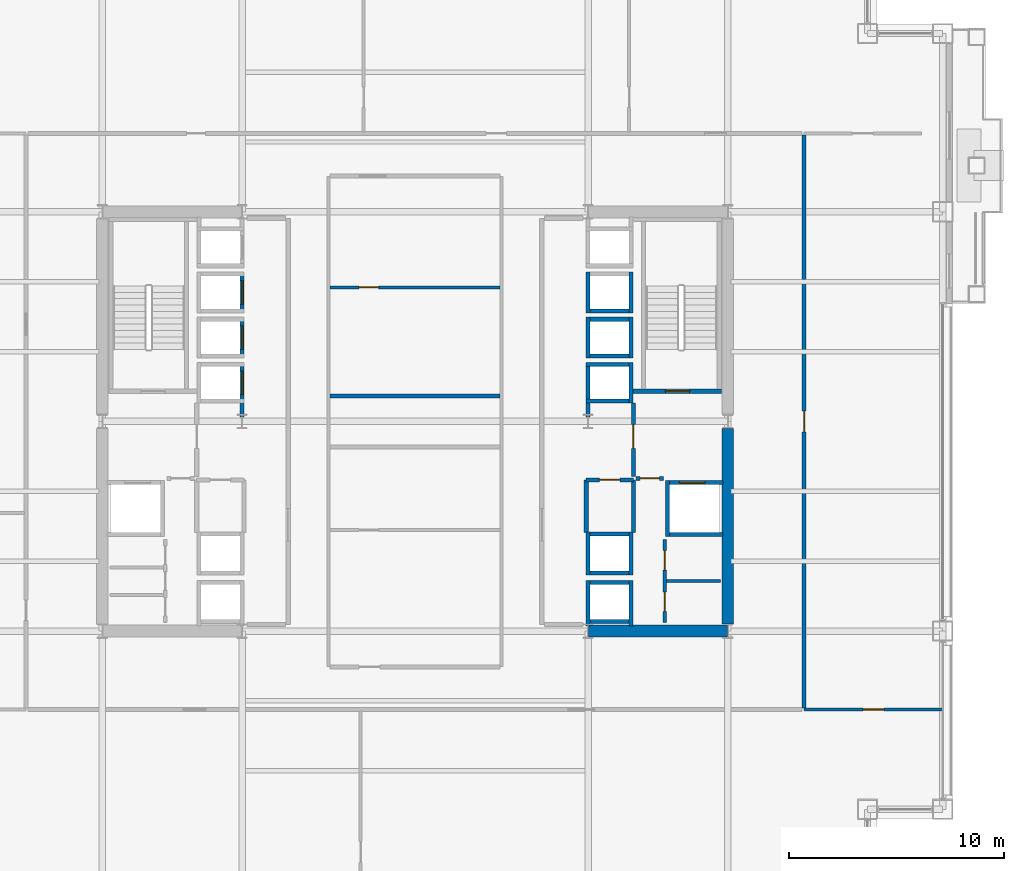
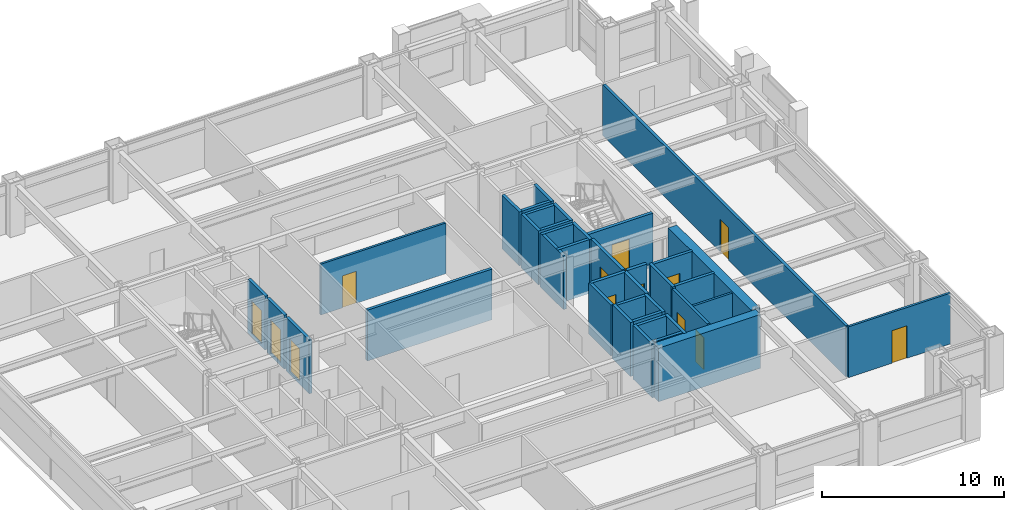
# One storey, part 26 of 31: 39 walls, 13 doors, 13 openings.
"""IFC4 building model written with IfcOpenShell, lengths in metres."""

from ifc_helpers import new_model, si_unit, direction, frame, frame_2d, origin, place, context, subcontext, project, spatial, rectangle, extrude, material, layer, layer_set, type_object, element, fill, save


model = new_model("IFC4")

# Units and contexts
model_context = context("Model", 3, precision=1e-05, world=origin(), true_north=direction((0.0, 1.0)))
body_context = subcontext(model_context, "Body", "Model", "MODEL_VIEW")
ifc_project = project(units=[si_unit("LENGTHUNIT", "METRE"), si_unit("AREAUNIT", "SQUARE_METRE"), si_unit("VOLUMEUNIT", "CUBIC_METRE"), si_unit("PLANEANGLEUNIT", "RADIAN"), si_unit("MASSUNIT", "GRAM", prefix="KILO")], contexts=[model_context])

# Site, building, storey
site_placement = place(None, origin())
site = spatial("IfcSite", under=ifc_project, at=site_placement, CompositionType="ELEMENT")
building_placement = place(site_placement, origin())
building = spatial("IfcBuilding", under=site, at=building_placement, Name="Brelmoor Portico Tower", CompositionType="ELEMENT")
storey_placement = place(building_placement, frame((0.0, 0.0, 42.0)))
storey = spatial("IfcBuildingStorey", under=building, at=storey_placement, Name="L10", CompositionType="ELEMENT", Elevation=42.0)

# Walls
ifc_material_1 = material(Name="Concrete C60", Category="concrete")
ifc_layer_1 = layer(ifc_material_1, 0.550048828125)
ifc_layer_set_1 = layer_set([ifc_layer_1], Name="Concrete C60")
wall_type_1 = type_object("IfcWallType", Name="WL-CORE-550", PredefinedType="SHEAR", material=ifc_layer_set_1)
wall_1_placement = place(storey_placement, frame((8.070068359375, -9.75, -0.199951171875), z_axis=(0.0, 0.0, 1.0), x_axis=(1.0, 0.0, 0.0)))
element("IfcWall", 1, at=wall_1_placement, inside=storey, type_object=wall_type_1, Name="L10 EC South Shear Wall", PredefinedType="SHEAR", context=body_context, shape_type="SweptSolid", body=[
    extrude(rectangle(XDim=6.4599609375, YDim=0.550048828125, at=frame_2d((3.22998046875, 0.0))), origin(), (0.0, 0.0, 1.0), 3.599853515625),
])
wall_2_placement = place(storey_placement, frame((14.550048828125, -9.425048828125, -0.199951171875), z_axis=(0.0, 0.0, 1.0), x_axis=(0.0, 1.0, 0.0)))
element("IfcWall", 2, at=wall_2_placement, inside=storey, type_object=wall_type_1, Name="L10 EC Outer South Shear Wall", PredefinedType="SHEAR", context=body_context, shape_type="SweptSolid", body=[
    extrude(rectangle(XDim=9.10009765625, YDim=0.550048828125, at=frame_2d((4.550048828125, 0.0))), origin(), (0.0, 0.0, 1.0), 3.599853515625),
])
ifc_material_2 = material(Name="Insulated Stud Suite Partition", Category="gypsum")
ifc_layer_2 = layer(ifc_material_2, 0.139892578125)
ifc_layer_set_2 = layer_set([ifc_layer_2], Name="Insulated Stud Suite Partition")
wall_type_2 = type_object("IfcWallType", Name="WL-PART-140", PredefinedType="PARTITIONING", material=ifc_layer_set_2)
wall_3_placement = place(storey_placement, frame((11.699951171875, -7.425048828125, 0.0), z_axis=(0.0, 0.0, 1.0), x_axis=(1.0, 0.0, 0.0)))
element("IfcWall", 3, at=wall_3_placement, inside=storey, type_object=wall_type_2, Name="L10 E Core WC Divider 1", PredefinedType="PARTITIONING", context=body_context, shape_type="SweptSolid", body=[
    extrude(rectangle(XDim=2.5, YDim=0.139892578125, at=frame_2d((1.25, 0.0))), origin(), (0.0, 0.0, 1.0), 3.39990234375),
])

# Wall, opening, door
wall_4_placement = place(storey_placement, frame((-3.949951171875, 6.239990234375, 0.0), z_axis=(0.0, 0.0, 1.0), x_axis=(1.0, 0.0, 0.0)))
wall_4 = element("IfcWall", 4, at=wall_4_placement, inside=storey, type_object=wall_type_2, Name="L10 Central Archive Divider", PredefinedType="PARTITIONING", context=body_context, shape_type="SweptSolid", body=[
    extrude(rectangle(XDim=7.89990234375, YDim=0.139892578125, at=frame_2d((3.949951171875, 0.0))), origin(), (0.0, 0.0, 1.0), 3.39990234375),
])
opening_1_placement = place(wall_4_placement, frame((1.35009765625, 0.0, 0.0)))
opening_1 = element("IfcOpeningElement", 5, at=opening_1_placement, cuts=wall_4, Name="Opening D-IN1", PredefinedType="OPENING", context=body_context, shape_type="SweptSolid", body=[
    extrude(rectangle(XDim=0.89990234375, YDim=2.14990234375, at=frame_2d((0.449951171875, 1.074951171875))), frame((0.0, 0.079833984375, 0.0), z_axis=(0.0, -1.0, 0.0), x_axis=(1.0, 0.0, 0.0)), (0.0, 0.0, 1.0), 0.159912109375),
])
ifc_material_3 = material(Name="Lacquered Timber Suite Door", Category="wood")
door_type_1 = type_object("IfcDoorType", Name="DR-INT-900", OperationType="NOTDEFINED", PredefinedType="DOOR", material=ifc_material_3)
door_1_placement = place(opening_1_placement, origin())
door_1 = element("IfcDoor", 6, at=door_1_placement, inside=storey, type_object=door_type_1, Name="D-0435 L10 Central File Room Door", OperationType="SINGLE_SWING_RIGHT", OverallHeight=2.14990234375, OverallWidth=0.89990234375, PredefinedType="DOOR", context=body_context, shape_type="SweptSolid", body=[
    extrude(rectangle(XDim=0.89990234375, YDim=2.14990234375, at=frame_2d((0.449951171875, 1.074951171875))), frame((0.0, 0.02490234375, 0.0), z_axis=(0.0, -1.0, 0.0), x_axis=(1.0, 0.0, 0.0)), (0.0, 0.0, 1.0), 0.050048828125),
])
fill(opening_1, door_1)

wall_5_placement = place(storey_placement, frame((18.10009765625, -13.39990234375, 0.0), z_axis=(0.0, 0.0, 1.0), x_axis=(1.0, 0.0, 0.0)))
wall_5 = element("IfcWall", 7, at=wall_5_placement, inside=storey, type_object=wall_type_2, Name="L10 South Outer Closure ER", PredefinedType="PARTITIONING", context=body_context, shape_type="SweptSolid", body=[
    extrude(rectangle(XDim=6.4599609375, YDim=0.139892578125, at=frame_2d((3.22998046875, 0.0))), origin(), (0.0, 0.0, 1.0), 3.39990234375),
])
opening_2_placement = place(wall_5_placement, frame((2.75, 0.0, 0.0)))
opening_2 = element("IfcOpeningElement", 8, at=opening_2_placement, cuts=wall_5, Name="Opening D-IN2", PredefinedType="OPENING", context=body_context, shape_type="SweptSolid", body=[
    extrude(rectangle(XDim=0.9599609375, YDim=2.179931640625, at=frame_2d((0.47998046875, 1.08984375))), frame((0.0, 0.079833984375, 0.0), z_axis=(0.0, -1.0, 0.0), x_axis=(1.0, 0.0, 0.0)), (0.0, 0.0, 1.0), 0.159912109375),
])
door_type_2 = type_object("IfcDoorType", Name="DR-INT-950", OperationType="NOTDEFINED", PredefinedType="DOOR", material=ifc_material_3)
door_2_placement = place(opening_2_placement, origin())
door_2 = element("IfcDoor", 9, at=door_2_placement, inside=storey, type_object=door_type_2, Name="D-0463 L10 ER South Corner Suite Door", OperationType="SINGLE_SWING_LEFT", OverallHeight=2.179931640625, OverallWidth=0.9599609375, PredefinedType="DOOR", context=body_context, shape_type="SweptSolid", body=[
    extrude(rectangle(XDim=0.9599609375, YDim=2.179931640625, at=frame_2d((0.47998046875, 1.08984375))), frame((0.0, 0.02490234375, 0.0), z_axis=(0.0, -1.0, 0.0), x_axis=(1.0, 0.0, 0.0)), (0.0, 0.0, 1.0), 0.050048828125),
])
fill(opening_2, door_2)

# Wall, openings, doors
ifc_material_4 = material(Name="Twin-Frame Acoustic Partition", Category="gypsum")
ifc_layer_3 = layer(ifc_material_4, 0.159912109375)
ifc_layer_set_3 = layer_set([ifc_layer_3], Name="Twin-Frame Acoustic Partition")
wall_type_3 = type_object("IfcWallType", Name="WL-PART-160", PredefinedType="PARTITIONING", material=ifc_layer_set_3)
wall_6_placement = place(storey_placement, frame((11.6201171875, -9.35009765625, 0.0), z_axis=(0.0, 0.0, 1.0), x_axis=(0.0, 1.0, 0.0)))
wall_6 = element("IfcWall", 10, at=wall_6_placement, inside=storey, type_object=wall_type_3, Name="L10 E Core Service Front Wall", PredefinedType="PARTITIONING", context=body_context, shape_type="SweptSolid", body=[
    extrude(rectangle(XDim=3.85009765625, YDim=0.159912109375, at=frame_2d((1.925048828125, 0.0))), origin(), (0.0, 0.0, 1.0), 3.39990234375),
])
opening_3_placement = place(wall_6_placement, frame((0.512451171875, 0.0, 0.0)))
opening_3 = element("IfcOpeningElement", 11, at=opening_3_placement, cuts=wall_6, Name="Opening D-IN1", PredefinedType="OPENING", context=body_context, shape_type="SweptSolid", body=[
    extrude(rectangle(XDim=0.89990234375, YDim=2.14990234375, at=frame_2d((0.449951171875, 1.074951171875))), frame((0.0, 0.08984375, 0.0), z_axis=(0.0, -1.0, 0.0), x_axis=(1.0, 0.0, 0.0)), (0.0, 0.0, 1.0), 0.179931640625),
])
opening_4_placement = place(wall_6_placement, frame((2.4375, 0.0, 0.0)))
opening_4 = element("IfcOpeningElement", 12, at=opening_4_placement, cuts=wall_6, Name="Opening D-IN1", PredefinedType="OPENING", context=body_context, shape_type="SweptSolid", body=[
    extrude(rectangle(XDim=0.89990234375, YDim=2.14990234375, at=frame_2d((0.449951171875, 1.074951171875))), frame((0.0, 0.08984375, 0.0), z_axis=(0.0, -1.0, 0.0), x_axis=(1.0, 0.0, 0.0)), (0.0, 0.0, 1.0), 0.179931640625),
])
door_3_placement = place(opening_3_placement, origin())
door_3 = element("IfcDoor", 13, at=door_3_placement, inside=storey, type_object=door_type_1, Name="D-0438 L10 E Male WC Door", OperationType="SINGLE_SWING_RIGHT", OverallHeight=2.14990234375, OverallWidth=0.89990234375, PredefinedType="DOOR", context=body_context, shape_type="SweptSolid", body=[
    extrude(rectangle(XDim=0.89990234375, YDim=2.14990234375, at=frame_2d((0.449951171875, 1.074951171875))), frame((0.0, 0.02490234375, 0.0), z_axis=(0.0, -1.0, 0.0), x_axis=(1.0, 0.0, 0.0)), (0.0, 0.0, 1.0), 0.050048828125),
])
fill(opening_3, door_3)
door_4_placement = place(opening_4_placement, origin())
door_4 = element("IfcDoor", 14, at=door_4_placement, inside=storey, type_object=door_type_1, Name="D-0439 L10 E Female WC Door", OperationType="SINGLE_SWING_LEFT", OverallHeight=2.14990234375, OverallWidth=0.89990234375, PredefinedType="DOOR", context=body_context, shape_type="SweptSolid", body=[
    extrude(rectangle(XDim=0.89990234375, YDim=2.14990234375, at=frame_2d((0.449951171875, 1.074951171875))), frame((0.0, 0.02490234375, 0.0), z_axis=(0.0, -1.0, 0.0), x_axis=(1.0, 0.0, 0.0)), (0.0, 0.0, 1.0), 0.050048828125),
])
fill(opening_4, door_4)

# Wall
ifc_material_5 = material(Name="Acoustic Corridor Fire Partition", Category="gypsum")
ifc_layer_4 = layer(ifc_material_5, 0.179931640625)
ifc_layer_set_4 = layer_set([ifc_layer_4], Name="Acoustic Corridor Fire Partition")
wall_type_4 = type_object("IfcWallType", Name="WL-PART-180", PredefinedType="PARTITIONING", material=ifc_layer_set_4)
wall_7_placement = place(storey_placement, frame((-3.949951171875, 1.179931640625, 0.0), z_axis=(0.0, 0.0, 1.0), x_axis=(1.0, 0.0, 0.0)))
element("IfcWall", 15, at=wall_7_placement, inside=storey, type_object=wall_type_4, Name="L10 Central Meeting South Wall", PredefinedType="PARTITIONING", context=body_context, shape_type="SweptSolid", body=[
    extrude(rectangle(XDim=7.89990234375, YDim=0.179931640625, at=frame_2d((3.949951171875, 0.0))), origin(), (0.0, 0.0, 1.0), 3.39990234375),
])

# Wall, opening, door
wall_8_placement = place(storey_placement, frame((18.10009765625, -13.320068359375, 0.0), z_axis=(0.0, 0.0, 1.0), x_axis=(0.0, 1.0, 0.0)))
wall_8 = element("IfcWall", 16, at=wall_8_placement, inside=storey, type_object=wall_type_4, Name="L10 E Wing Corridor Wall", PredefinedType="PARTITIONING", context=body_context, shape_type="SweptSolid", body=[
    extrude(rectangle(XDim=26.64013671875, YDim=0.179931640625, at=frame_2d((13.320068359375, 0.0))), origin(), (0.0, 0.0, 1.0), 3.39990234375),
])
opening_5_placement = place(wall_8_placement, frame((12.840087890625, 0.0, 0.0)))
opening_5 = element("IfcOpeningElement", 17, at=opening_5_placement, cuts=wall_8, Name="Opening D-IN2", PredefinedType="OPENING", context=body_context, shape_type="SweptSolid", body=[
    extrude(rectangle(XDim=0.9599609375, YDim=2.179931640625, at=frame_2d((0.47998046875, 1.08984375))), frame((0.0, 0.099853515625, 0.0), z_axis=(0.0, -1.0, 0.0), x_axis=(1.0, 0.0, 0.0)), (0.0, 0.0, 1.0), 0.199951171875),
])
door_5_placement = place(opening_5_placement, origin())
door_5 = element("IfcDoor", 18, at=door_5_placement, inside=storey, type_object=door_type_2, Name="D-0468 L10 E Project Mail Room 1 Door", OperationType="SINGLE_SWING_LEFT", OverallHeight=2.179931640625, OverallWidth=0.9599609375, PredefinedType="DOOR", context=body_context, shape_type="SweptSolid", body=[
    extrude(rectangle(XDim=0.9599609375, YDim=2.179931640625, at=frame_2d((0.47998046875, 1.08984375))), frame((0.0, 0.02490234375, 0.0), z_axis=(0.0, -1.0, 0.0), x_axis=(1.0, 0.0, 0.0)), (0.0, 0.0, 1.0), 0.050048828125),
])
fill(opening_5, door_5)

ifc_material_6 = material(Name="Double-Stud Gypsum Fire Partition", Category="gypsum")
ifc_layer_5 = layer(ifc_material_6, 0.199951171875)
ifc_layer_set_5 = layer_set([ifc_layer_5], Name="Double-Stud Gypsum Fire Partition")
wall_type_5 = type_object("IfcWallType", Name="WL-PART-200", PredefinedType="PARTITIONING", material=ifc_layer_set_5)
wall_9_placement = place(storey_placement, frame((10.159912109375, -2.550048828125, 0.0), z_axis=(0.0, 0.0, 1.0), x_axis=(0.0, 1.0, 0.0)))
wall_9 = element("IfcWall", 19, at=wall_9_placement, inside=storey, type_object=wall_type_5, Name="L10 E Firefighting Lobby Wall", PredefinedType="PARTITIONING", context=body_context, shape_type="SweptSolid", body=[
    extrude(rectangle(XDim=3.400146484375, YDim=0.199951171875, at=frame_2d((1.7001953125, 0.0))), origin(), (0.0, 0.0, 1.0), 3.39990234375),
])
opening_6_placement = place(wall_9_placement, frame((1.300048828125, 0.0, 0.0)))
opening_6 = element("IfcOpeningElement", 20, at=opening_6_placement, cuts=wall_9, Name="Opening D-FR1", PredefinedType="OPENING", context=body_context, shape_type="SweptSolid", body=[
    extrude(rectangle(XDim=1.10009765625, YDim=2.14990234375, at=frame_2d((0.550048828125, 1.074951171875))), frame((0.0, 0.10986328125, 0.0), z_axis=(0.0, -1.0, 0.0), x_axis=(1.0, 0.0, 0.0)), (0.0, 0.0, 1.0), 0.219970703125),
])
ifc_material_7 = material(Name="Painted Galvanised Steel Fire Door", Category="steel")
door_type_3 = type_object("IfcDoorType", Name="DR-FIRE-1100", OperationType="NOTDEFINED", PredefinedType="DOOR", material=ifc_material_7)
door_6_placement = place(opening_6_placement, origin())
door_6 = element("IfcDoor", 21, at=door_6_placement, inside=storey, type_object=door_type_3, Name="D-0447 L10 E Firefighting Lobby Door", OperationType="SINGLE_SWING_LEFT", OverallHeight=2.14990234375, OverallWidth=1.10009765625, PredefinedType="DOOR", context=body_context, shape_type="SweptSolid", body=[
    extrude(rectangle(XDim=1.10009765625, YDim=2.14990234375, at=frame_2d((0.550048828125, 1.074951171875))), frame((0.0, 0.02490234375, 0.0), z_axis=(0.0, -1.0, 0.0), x_axis=(1.0, 0.0, 0.0)), (0.0, 0.0, 1.0), 0.050048828125),
])
fill(opening_6, door_6)

wall_10_placement = place(storey_placement, frame((10.280029296875, -2.64990234375, 0.0), z_axis=(0.0, 0.0, 1.0), x_axis=(1.0, 0.0, 0.0)))
wall_10 = element("IfcWall", 22, at=wall_10_placement, inside=storey, type_object=wall_type_5, Name="L10 E Firefighting Lobby South Wall", PredefinedType="PARTITIONING", context=body_context, shape_type="SweptSolid", body=[
    extrude(rectangle(XDim=1.27001953125, YDim=0.199951171875, at=frame_2d((0.635009765625, 0.0))), origin(), (0.0, 0.0, 1.0), 3.39990234375),
])
opening_7_placement = place(wall_10_placement, frame((0.18505859375, 0.0, 0.0)))
opening_7 = element("IfcOpeningElement", 23, at=opening_7_placement, cuts=wall_10, Name="Opening D-IN1", PredefinedType="OPENING", context=body_context, shape_type="SweptSolid", body=[
    extrude(rectangle(XDim=0.89990234375, YDim=2.14990234375, at=frame_2d((0.449951171875, 1.074951171875))), frame((0.0, 0.10986328125, 0.0), z_axis=(0.0, -1.0, 0.0), x_axis=(1.0, 0.0, 0.0)), (0.0, 0.0, 1.0), 0.219970703125),
])
door_7_placement = place(opening_7_placement, origin())
door_7 = element("IfcDoor", 24, at=door_7_placement, inside=storey, type_object=door_type_1, Name="D-0440 L10 E Core Service Vestibule Door", OperationType="SINGLE_SWING_RIGHT", OverallHeight=2.14990234375, OverallWidth=0.89990234375, PredefinedType="DOOR", context=body_context, shape_type="SweptSolid", body=[
    extrude(rectangle(XDim=0.89990234375, YDim=2.14990234375, at=frame_2d((0.449951171875, 1.074951171875))), frame((0.0, 0.02490234375, 0.0), z_axis=(0.0, -1.0, 0.0), x_axis=(1.0, 0.0, 0.0)), (0.0, 0.0, 1.0), 0.050048828125),
])
fill(opening_7, door_7)

wall_11_placement = place(storey_placement, frame((7.9599609375, -2.719970703125, 0.0), z_axis=(0.0, 0.0, 1.0), x_axis=(1.0, 0.0, 0.0)))
wall_11 = element("IfcWall", 25, at=wall_11_placement, inside=storey, type_object=wall_type_5, Name="L10 E Electrical Switchgear Closet Wall", PredefinedType="PARTITIONING", context=body_context, shape_type="SweptSolid", body=[
    extrude(rectangle(XDim=2.199951171875, YDim=0.199951171875, at=frame_2d((1.10009765625, 0.0))), origin(), (0.0, 0.0, 1.0), 3.39990234375),
])
opening_8_placement = place(wall_11_placement, frame((0.6201171875, 0.0, 0.0)))
opening_8 = element("IfcOpeningElement", 26, at=opening_8_placement, cuts=wall_11, Name="Opening D-FR4", PredefinedType="OPENING", context=body_context, shape_type="SweptSolid", body=[
    extrude(rectangle(XDim=0.949951171875, YDim=2.10009765625, at=frame_2d((0.47509765625, 1.050048828125))), frame((0.0, 0.10986328125, 0.0), z_axis=(0.0, -1.0, 0.0), x_axis=(1.0, 0.0, 0.0)), (0.0, 0.0, 1.0), 0.219970703125),
])
ifc_material_8 = material(Name="Painted Galvanised Steel Riser Door", Category="steel")
door_type_4 = type_object("IfcDoorType", Name="DR-FIRE-950", OperationType="NOTDEFINED", PredefinedType="DOOR", material=ifc_material_8)
door_8_placement = place(opening_8_placement, origin())
door_8 = element("IfcDoor", 27, at=door_8_placement, inside=storey, type_object=door_type_4, Name="D-0445 L10 E Electrical Switchgear Closet Door", OperationType="SINGLE_SWING_LEFT", OverallHeight=2.10009765625, OverallWidth=0.949951171875, PredefinedType="DOOR", context=body_context, shape_type="SweptSolid", body=[
    extrude(rectangle(XDim=0.949951171875, YDim=2.10009765625, at=frame_2d((0.47509765625, 1.050048828125))), frame((0.0, 0.02490234375, 0.0), z_axis=(0.0, -1.0, 0.0), x_axis=(1.0, 0.0, 0.0)), (0.0, 0.0, 1.0), 0.050048828125),
])
fill(opening_8, door_8)

# Walls
for number, where, z_axis, x_axis, name in (
    (28, (7.9599609375, -5.159912109375, 0.0), (0.0, 0.0, 1.0), (0.0, 1.0, 0.0), "L10 E Electrical Switchgear Closet Inner Wall"),
    (29, (10.159912109375, -5.159912109375, 0.0), (0.0, 0.0, 1.0), (0.0, 1.0, 0.0), "L10 E Electrical Switchgear Closet Outer Wall"),
):
    element("IfcWall", number, at=place(storey_placement, frame(where, z_axis=z_axis, x_axis=x_axis)), inside=storey, type_object=wall_type_5, Name=name, PredefinedType="PARTITIONING", context=body_context, shape_type="SweptSolid", body=[
        extrude(rectangle(XDim=2.43994140625, YDim=0.199951171875, at=frame_2d((1.219970703125, 0.0))), origin(), (0.0, 0.0, 1.0), 3.39990234375),
    ])

# Wall, opening, door
ifc_material_9 = material(Name="Precast Concrete C40", Category="concrete")
ifc_layer_6 = layer(ifc_material_9, 0.18994140625)
ifc_layer_set_6 = layer_set([ifc_layer_6], Name="Precast Concrete C40")
wall_type_6 = type_object("IfcWallType", Name="WL-SHAFT-180", PredefinedType="SOLIDWALL", material=ifc_layer_set_6)
wall_12_placement = place(storey_placement, frame((-8.044921875, 0.2099609375, -0.199951171875), z_axis=(0.0, 0.0, 1.0), x_axis=(0.0, 1.0, 0.0)))
wall_12 = element("IfcWall", 30, at=wall_12_placement, inside=storey, type_object=wall_type_6, Name="L10 Lift PL1 Hoistway Front Wall", PredefinedType="SOLIDWALL", context=body_context, shape_type="SweptSolid", body=[
    extrude(rectangle(XDim=2.5400390625, YDim=0.18994140625, at=frame_2d((1.27001953125, 0.0))), origin(), (0.0, 0.0, 1.0), 3.599853515625),
])
opening_9_placement = place(wall_12_placement, frame((1.0400390625, 0.0, 0.199951171875)))
opening_9 = element("IfcOpeningElement", 31, at=opening_9_placement, cuts=wall_12, Name="Opening LD-01", PredefinedType="OPENING", context=body_context, shape_type="SweptSolid", body=[
    extrude(rectangle(XDim=1.10009765625, YDim=2.199951171875, at=frame_2d((0.550048828125, 1.10009765625))), frame((0.0, 0.10498046875, 0.0), z_axis=(0.0, -1.0, 0.0), x_axis=(1.0, 0.0, 0.0)), (0.0, 0.0, 1.0), 0.2099609375),
])
ifc_material_10 = material(Name="Brushed Stainless Steel Sliding Lift Door", Category="steel")
door_type_5 = type_object("IfcDoorType", Name="DR-LIFT-1100", OperationType="NOTDEFINED", PredefinedType="DOOR", material=ifc_material_10)
door_9_placement = place(opening_9_placement, origin())
door_9 = element("IfcDoor", 32, at=door_9_placement, inside=storey, type_object=door_type_5, Name="D-0474 L10 Lift PL1 Sliding Landing Door", OperationType="SLIDING_TO_LEFT", OverallHeight=2.199951171875, OverallWidth=1.10009765625, PredefinedType="DOOR", context=body_context, shape_type="SweptSolid", body=[
    extrude(rectangle(XDim=1.10009765625, YDim=2.199951171875, at=frame_2d((0.550048828125, 1.10009765625))), frame((0.0, 0.02490234375, 0.0), z_axis=(0.0, -1.0, 0.0), x_axis=(1.0, 0.0, 0.0)), (0.0, 0.0, 1.0), 0.050048828125),
])
fill(opening_9, door_9)

wall_13_placement = place(storey_placement, frame((-8.044921875, 2.949951171875, -0.199951171875), z_axis=(0.0, 0.0, 1.0), x_axis=(0.0, 1.0, 0.0)))
wall_13 = element("IfcWall", 33, at=wall_13_placement, inside=storey, type_object=wall_type_6, Name="L10 Lift PL2 Hoistway Front Wall", PredefinedType="SOLIDWALL", context=body_context, shape_type="SweptSolid", body=[
    extrude(rectangle(XDim=1.900146484375, YDim=0.18994140625, at=frame_2d((0.9501953125, 0.0))), origin(), (0.0, 0.0, 1.0), 3.599853515625),
])
opening_10_placement = place(wall_13_placement, frame((0.39990234375, 0.0, 0.199951171875)))
opening_10 = element("IfcOpeningElement", 34, at=opening_10_placement, cuts=wall_13, Name="Opening LD-01", PredefinedType="OPENING", context=body_context, shape_type="SweptSolid", body=[
    extrude(rectangle(XDim=1.10009765625, YDim=2.199951171875, at=frame_2d((0.550048828125, 1.10009765625))), frame((0.0, 0.10498046875, 0.0), z_axis=(0.0, -1.0, 0.0), x_axis=(1.0, 0.0, 0.0)), (0.0, 0.0, 1.0), 0.2099609375),
])
door_10_placement = place(opening_10_placement, origin())
door_10 = element("IfcDoor", 35, at=door_10_placement, inside=storey, type_object=door_type_5, Name="D-0475 L10 Lift PL2 Sliding Landing Door", OperationType="SLIDING_TO_LEFT", OverallHeight=2.199951171875, OverallWidth=1.10009765625, PredefinedType="DOOR", context=body_context, shape_type="SweptSolid", body=[
    extrude(rectangle(XDim=1.10009765625, YDim=2.199951171875, at=frame_2d((0.550048828125, 1.10009765625))), frame((0.0, 0.02490234375, 0.0), z_axis=(0.0, -1.0, 0.0), x_axis=(1.0, 0.0, 0.0)), (0.0, 0.0, 1.0), 0.050048828125),
])
fill(opening_10, door_10)

wall_14_placement = place(storey_placement, frame((-8.044921875, 5.050048828125, -0.199951171875), z_axis=(0.0, 0.0, 1.0), x_axis=(0.0, 1.0, 0.0)))
wall_14 = element("IfcWall", 36, at=wall_14_placement, inside=storey, type_object=wall_type_6, Name="L10 Lift PL3 Hoistway Front Wall", PredefinedType="SOLIDWALL", context=body_context, shape_type="SweptSolid", body=[
    extrude(rectangle(XDim=1.89990234375, YDim=0.18994140625, at=frame_2d((0.949951171875, 0.0))), origin(), (0.0, 0.0, 1.0), 3.599853515625),
])
opening_11_placement = place(wall_14_placement, frame((0.39990234375, 0.0, 0.199951171875)))
opening_11 = element("IfcOpeningElement", 37, at=opening_11_placement, cuts=wall_14, Name="Opening LD-01", PredefinedType="OPENING", context=body_context, shape_type="SweptSolid", body=[
    extrude(rectangle(XDim=1.10009765625, YDim=2.199951171875, at=frame_2d((0.550048828125, 1.10009765625))), frame((0.0, 0.10498046875, 0.0), z_axis=(0.0, -1.0, 0.0), x_axis=(1.0, 0.0, 0.0)), (0.0, 0.0, 1.0), 0.2099609375),
])
door_11_placement = place(opening_11_placement, origin())
door_11 = element("IfcDoor", 38, at=door_11_placement, inside=storey, type_object=door_type_5, Name="D-0476 L10 Lift PL3 Sliding Landing Door", OperationType="SLIDING_TO_LEFT", OverallHeight=2.199951171875, OverallWidth=1.10009765625, PredefinedType="DOOR", context=body_context, shape_type="SweptSolid", body=[
    extrude(rectangle(XDim=1.10009765625, YDim=2.199951171875, at=frame_2d((0.550048828125, 1.10009765625))), frame((0.0, 0.02490234375, 0.0), z_axis=(0.0, -1.0, 0.0), x_axis=(1.0, 0.0, 0.0)), (0.0, 0.0, 1.0), 0.050048828125),
])
fill(opening_11, door_11)

# Walls
wall_15_placement = place(storey_placement, frame((8.044921875, 0.2099609375, -0.199951171875), z_axis=(0.0, 0.0, 1.0), x_axis=(0.0, 1.0, 0.0)))
element("IfcWall", 39, at=wall_15_placement, inside=storey, type_object=wall_type_6, Name="L10 Lift PM1 Hoistway Front Wall", PredefinedType="SOLIDWALL", context=body_context, shape_type="SweptSolid", body=[
    extrude(rectangle(XDim=2.5400390625, YDim=0.18994140625, at=frame_2d((1.27001953125, 0.0))), origin(), (0.0, 0.0, 1.0), 3.599853515625),
])
wall_16_placement = place(storey_placement, frame((10.054931640625, 0.85009765625, -0.199951171875), z_axis=(0.0, 0.0, 1.0), x_axis=(0.0, 1.0, 0.0)))
element("IfcWall", 40, at=wall_16_placement, inside=storey, type_object=wall_type_6, Name="L10 Lift PM1 Hoistway Back Wall", PredefinedType="SOLIDWALL", context=body_context, shape_type="SweptSolid", body=[
    extrude(rectangle(XDim=1.89990234375, YDim=0.18994140625, at=frame_2d((0.949951171875, 0.0))), origin(), (0.0, 0.0, 1.0), 3.599853515625),
])
for number, where, z_axis, x_axis, name in (
    (41, (7.949951171875, 2.655029296875, -0.199951171875), (0.0, 0.0, 1.0), (1.0, 0.0, 0.0), "L10 Lift PM1 Hoistway North Wall"),
    (42, (7.949951171875, 0.945068359375, -0.199951171875), (0.0, 0.0, 1.0), (1.0, 0.0, 0.0), "L10 Lift PM1 Hoistway South Wall"),
):
    element("IfcWall", number, at=place(storey_placement, frame(where, z_axis=z_axis, x_axis=x_axis)), inside=storey, type_object=wall_type_6, Name=name, PredefinedType="SOLIDWALL", context=body_context, shape_type="SweptSolid", body=[
        extrude(rectangle(XDim=2.199951171875, YDim=0.18994140625, at=frame_2d((1.10009765625, 0.0))), origin(), (0.0, 0.0, 1.0), 3.599853515625),
    ])
for number, where, z_axis, x_axis, name in (
    (43, (8.044921875, 2.949951171875, -0.199951171875), (0.0, 0.0, 1.0), (0.0, 1.0, 0.0), "L10 Lift PM2 Hoistway Front Wall"),
    (44, (10.054931640625, 2.949951171875, -0.199951171875), (0.0, 0.0, 1.0), (0.0, 1.0, 0.0), "L10 Lift PM2 Hoistway Back Wall"),
):
    element("IfcWall", number, at=place(storey_placement, frame(where, z_axis=z_axis, x_axis=x_axis)), inside=storey, type_object=wall_type_6, Name=name, PredefinedType="SOLIDWALL", context=body_context, shape_type="SweptSolid", body=[
        extrude(rectangle(XDim=1.900146484375, YDim=0.18994140625, at=frame_2d((0.9501953125, 0.0))), origin(), (0.0, 0.0, 1.0), 3.599853515625),
    ])
for number, where, z_axis, x_axis, name in (
    (45, (7.949951171875, 4.7548828125, -0.199951171875), (0.0, 0.0, 1.0), (1.0, 0.0, 0.0), "L10 Lift PM2 Hoistway North Wall"),
    (46, (7.949951171875, 3.044921875, -0.199951171875), (0.0, 0.0, 1.0), (1.0, 0.0, 0.0), "L10 Lift PM2 Hoistway South Wall"),
):
    element("IfcWall", number, at=place(storey_placement, frame(where, z_axis=z_axis, x_axis=x_axis)), inside=storey, type_object=wall_type_6, Name=name, PredefinedType="SOLIDWALL", context=body_context, shape_type="SweptSolid", body=[
        extrude(rectangle(XDim=2.199951171875, YDim=0.18994140625, at=frame_2d((1.10009765625, 0.0))), origin(), (0.0, 0.0, 1.0), 3.599853515625),
    ])
for number, where, z_axis, x_axis, name in (
    (47, (8.044921875, 5.050048828125, -0.199951171875), (0.0, 0.0, 1.0), (0.0, 1.0, 0.0), "L10 Lift PM3 Hoistway Front Wall"),
    (48, (10.054931640625, 5.050048828125, -0.199951171875), (0.0, 0.0, 1.0), (0.0, 1.0, 0.0), "L10 Lift PM3 Hoistway Back Wall"),
):
    element("IfcWall", number, at=place(storey_placement, frame(where, z_axis=z_axis, x_axis=x_axis)), inside=storey, type_object=wall_type_6, Name=name, PredefinedType="SOLIDWALL", context=body_context, shape_type="SweptSolid", body=[
        extrude(rectangle(XDim=1.89990234375, YDim=0.18994140625, at=frame_2d((0.949951171875, 0.0))), origin(), (0.0, 0.0, 1.0), 3.599853515625),
    ])
wall_17_placement = place(storey_placement, frame((7.949951171875, 5.14501953125, -0.199951171875), z_axis=(0.0, 0.0, 1.0), x_axis=(1.0, 0.0, 0.0)))
element("IfcWall", 49, at=wall_17_placement, inside=storey, type_object=wall_type_6, Name="L10 Lift PM3 Hoistway South Wall", PredefinedType="SOLIDWALL", context=body_context, shape_type="SweptSolid", body=[
    extrude(rectangle(XDim=2.199951171875, YDim=0.18994140625, at=frame_2d((1.10009765625, 0.0))), origin(), (0.0, 0.0, 1.0), 3.599853515625),
])
for number, where, z_axis, x_axis, name in (
    (50, (8.044921875, -9.52001953125, -0.199951171875), (0.0, 0.0, 1.0), (0.0, 1.0, 0.0), "L10 Lift PH3 Hoistway Front Wall"),
    (51, (10.054931640625, -9.52001953125, -0.199951171875), (0.0, 0.0, 1.0), (0.0, 1.0, 0.0), "L10 Lift PH3 Hoistway Back Wall"),
):
    element("IfcWall", number, at=place(storey_placement, frame(where, z_axis=z_axis, x_axis=x_axis)), inside=storey, type_object=wall_type_6, Name=name, PredefinedType="SOLIDWALL", context=body_context, shape_type="SweptSolid", body=[
        extrude(rectangle(XDim=2.1201171875, YDim=0.18994140625, at=frame_2d((1.06005859375, 0.0))), origin(), (0.0, 0.0, 1.0), 3.599853515625),
    ])
for number, where, z_axis, x_axis, name in (
    (52, (7.949951171875, -7.4951171875, -0.199951171875), (0.0, 0.0, 1.0), (1.0, 0.0, 0.0), "L10 Lift PH3 Hoistway North Wall"),
    (53, (7.949951171875, -9.304931640625, -0.199951171875), (0.0, 0.0, 1.0), (1.0, 0.0, 0.0), "L10 Lift PH3 Hoistway South Wall"),
):
    element("IfcWall", number, at=place(storey_placement, frame(where, z_axis=z_axis, x_axis=x_axis)), inside=storey, type_object=wall_type_6, Name=name, PredefinedType="SOLIDWALL", context=body_context, shape_type="SweptSolid", body=[
        extrude(rectangle(XDim=2.199951171875, YDim=0.18994140625, at=frame_2d((1.10009765625, 0.0))), origin(), (0.0, 0.0, 1.0), 3.599853515625),
    ])
for number, where, z_axis, x_axis, name in (
    (54, (8.044921875, -7.14990234375, -0.199951171875), (0.0, 0.0, 1.0), (0.0, 1.0, 0.0), "L10 Lift PH4 Hoistway Front Wall"),
    (55, (10.054931640625, -7.14990234375, -0.199951171875), (0.0, 0.0, 1.0), (0.0, 1.0, 0.0), "L10 Lift PH4 Hoistway Back Wall"),
):
    element("IfcWall", number, at=place(storey_placement, frame(where, z_axis=z_axis, x_axis=x_axis)), inside=storey, type_object=wall_type_6, Name=name, PredefinedType="SOLIDWALL", context=body_context, shape_type="SweptSolid", body=[
        extrude(rectangle(XDim=2.0, YDim=0.18994140625, at=frame_2d((1.0, 0.0))), origin(), (0.0, 0.0, 1.0), 3.599853515625),
    ])
for number, where, z_axis, x_axis, name in (
    (56, (7.949951171875, -5.2451171875, -0.199951171875), (0.0, 0.0, 1.0), (1.0, 0.0, 0.0), "L10 Lift PH4 Hoistway North Wall"),
    (57, (7.949951171875, -7.054931640625, -0.199951171875), (0.0, 0.0, 1.0), (1.0, 0.0, 0.0), "L10 Lift PH4 Hoistway South Wall"),
):
    element("IfcWall", number, at=place(storey_placement, frame(where, z_axis=z_axis, x_axis=x_axis)), inside=storey, type_object=wall_type_6, Name=name, PredefinedType="SOLIDWALL", context=body_context, shape_type="SweptSolid", body=[
        extrude(rectangle(XDim=2.199951171875, YDim=0.18994140625, at=frame_2d((1.10009765625, 0.0))), origin(), (0.0, 0.0, 1.0), 3.599853515625),
    ])

# Wall, opening, door
wall_18_placement = place(storey_placement, frame((11.64990234375, -2.844970703125, -0.199951171875), z_axis=(0.0, 0.0, 1.0), x_axis=(1.0, 0.0, 0.0)))
wall_18 = element("IfcWall", 58, at=wall_18_placement, inside=storey, type_object=wall_type_6, Name="L10 Lift FF2 Hoistway Front Wall", PredefinedType="SOLIDWALL", context=body_context, shape_type="SweptSolid", body=[
    extrude(rectangle(XDim=2.68017578125, YDim=0.18994140625, at=frame_2d((1.340087890625, 0.0))), origin(), (0.0, 0.0, 1.0), 3.599853515625),
])
opening_12_placement = place(wall_18_placement, frame((0.64990234375, 0.0, 0.199951171875)))
opening_12 = element("IfcOpeningElement", 59, at=opening_12_placement, cuts=wall_18, Name="Opening LD-02", PredefinedType="OPENING", context=body_context, shape_type="SweptSolid", body=[
    extrude(rectangle(XDim=1.199951171875, YDim=2.199951171875, at=frame_2d((0.60009765625, 1.10009765625))), frame((0.0, 0.10498046875, 0.0), z_axis=(0.0, -1.0, 0.0), x_axis=(1.0, 0.0, 0.0)), (0.0, 0.0, 1.0), 0.2099609375),
])
ifc_material_11 = material(Name="Brushed Stainless Steel Firefighting Lift Door", Category="steel")
door_type_6 = type_object("IfcDoorType", Name="DR-LIFT-1200", OperationType="NOTDEFINED", PredefinedType="DOOR", material=ifc_material_11)
door_12_placement = place(opening_12_placement, origin())
door_12 = element("IfcDoor", 60, at=door_12_placement, inside=storey, type_object=door_type_6, Name="D-0473 L10 Lift FF2 Sliding Landing Door", OperationType="SLIDING_TO_LEFT", OverallHeight=2.199951171875, OverallWidth=1.199951171875, PredefinedType="DOOR", context=body_context, shape_type="SweptSolid", body=[
    extrude(rectangle(XDim=1.199951171875, YDim=2.199951171875, at=frame_2d((0.60009765625, 1.10009765625))), frame((0.0, 0.02490234375, 0.0), z_axis=(0.0, -1.0, 0.0), x_axis=(1.0, 0.0, 0.0)), (0.0, 0.0, 1.0), 0.050048828125),
])
fill(opening_12, door_12)

# Walls
wall_19_placement = place(storey_placement, frame((11.64990234375, -5.2548828125, -0.199951171875), z_axis=(0.0, 0.0, 1.0), x_axis=(1.0, 0.0, 0.0)))
element("IfcWall", 61, at=wall_19_placement, inside=storey, type_object=wall_type_6, Name="L10 Firefighting Lift FF2 South Wall", PredefinedType="SOLIDWALL", context=body_context, shape_type="SweptSolid", body=[
    extrude(rectangle(XDim=2.68017578125, YDim=0.18994140625, at=frame_2d((1.340087890625, 0.0))), origin(), (0.0, 0.0, 1.0), 3.599853515625),
])
wall_20_placement = place(storey_placement, frame((11.7451171875, -5.35009765625, -0.199951171875), z_axis=(0.0, 0.0, 1.0), x_axis=(0.0, 1.0, 0.0)))
element("IfcWall", 62, at=wall_20_placement, inside=storey, type_object=wall_type_6, Name="L10 Firefighting Lift FF2 Inner Wall", PredefinedType="SOLIDWALL", context=body_context, shape_type="SweptSolid", body=[
    extrude(rectangle(XDim=2.60009765625, YDim=0.18994140625, at=frame_2d((1.300048828125, 0.0))), origin(), (0.0, 0.0, 1.0), 3.599853515625),
])

# Wall, opening, door
ifc_material_12 = material(Name="Concrete C40", Category="concrete")
ifc_layer_7 = layer(ifc_material_12, 0.199951171875)
ifc_layer_set_7 = layer_set([ifc_layer_7], Name="Concrete C40")
wall_type_7 = type_object("IfcWallType", Name="WL-SHAFT-RC200", PredefinedType="SOLIDWALL", material=ifc_layer_set_7)
wall_21_placement = place(storey_placement, frame((10.14990234375, 1.39990234375, -0.199951171875), z_axis=(0.0, 0.0, 1.0), x_axis=(1.0, 0.0, 0.0)))
wall_21 = element("IfcWall", 63, at=wall_21_placement, inside=storey, type_object=wall_type_7, Name="L10 ST-E Structural Stair Wall S", PredefinedType="SOLIDWALL", context=body_context, shape_type="SweptSolid", body=[
    extrude(rectangle(XDim=4.10009765625, YDim=0.199951171875, at=frame_2d((2.050048828125, 0.0))), origin(), (0.0, 0.0, 1.0), 3.599853515625),
])
opening_13_placement = place(wall_21_placement, frame((1.5, 0.0, 0.199951171875)))
opening_13 = element("IfcOpeningElement", 64, at=opening_13_placement, cuts=wall_21, Name="Opening D-ST1", PredefinedType="OPENING", context=body_context, shape_type="SweptSolid", body=[
    extrude(rectangle(XDim=1.1201171875, YDim=2.179931640625, at=frame_2d((0.56005859375, 1.08984375))), frame((0.0, 0.10986328125, 0.0), z_axis=(0.0, -1.0, 0.0), x_axis=(1.0, 0.0, 0.0)), (0.0, 0.0, 1.0), 0.219970703125),
])
door_type_7 = type_object("IfcDoorType", Name="DR-STAIR-1100", OperationType="NOTDEFINED", PredefinedType="DOOR", material=ifc_material_7)
door_13_placement = place(opening_13_placement, origin())
door_13 = element("IfcDoor", 65, at=door_13_placement, inside=storey, type_object=door_type_7, Name="D-0461 L10 ST-E Protected Exit Stair Door", OperationType="SINGLE_SWING_RIGHT", OverallHeight=2.179931640625, OverallWidth=1.1201171875, PredefinedType="DOOR", context=body_context, shape_type="SweptSolid", body=[
    extrude(rectangle(XDim=1.1201171875, YDim=2.179931640625, at=frame_2d((0.56005859375, 1.08984375))), frame((0.0, 0.02490234375, 0.0), z_axis=(0.0, -1.0, 0.0), x_axis=(1.0, 0.0, 0.0)), (0.0, 0.0, 1.0), 0.050048828125),
])
fill(opening_13, door_13)

save(model, "model.ifc")
